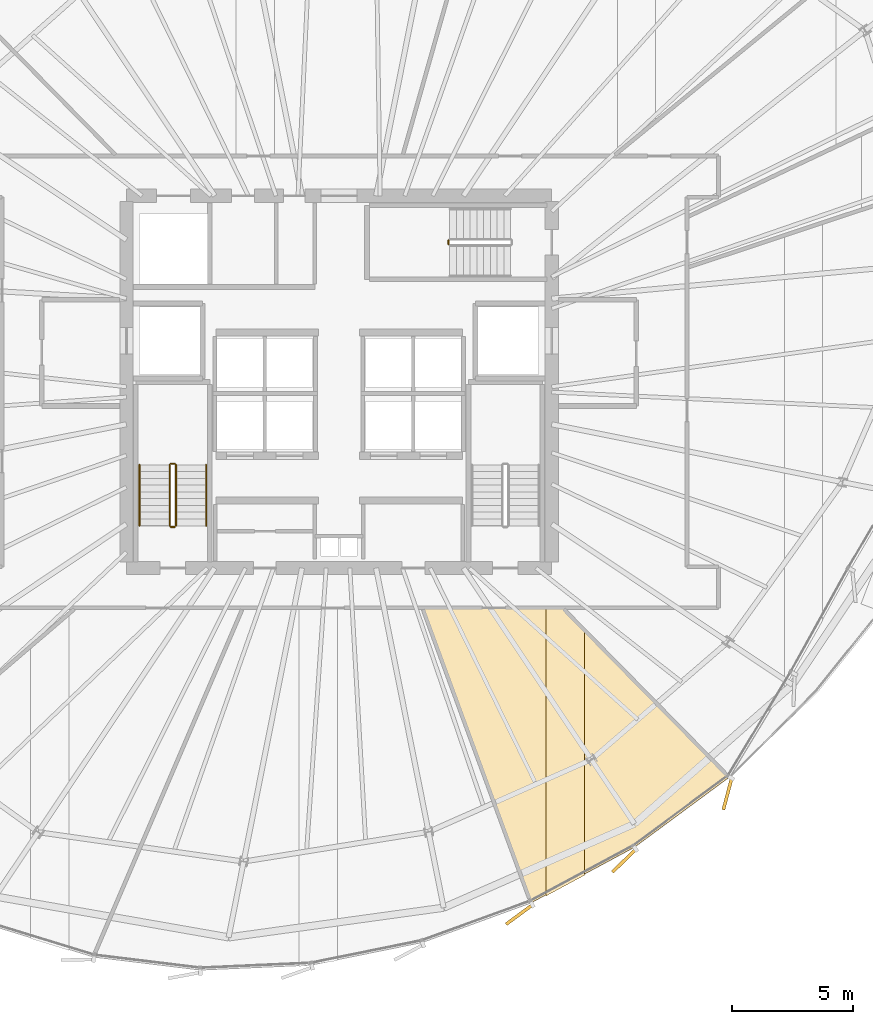
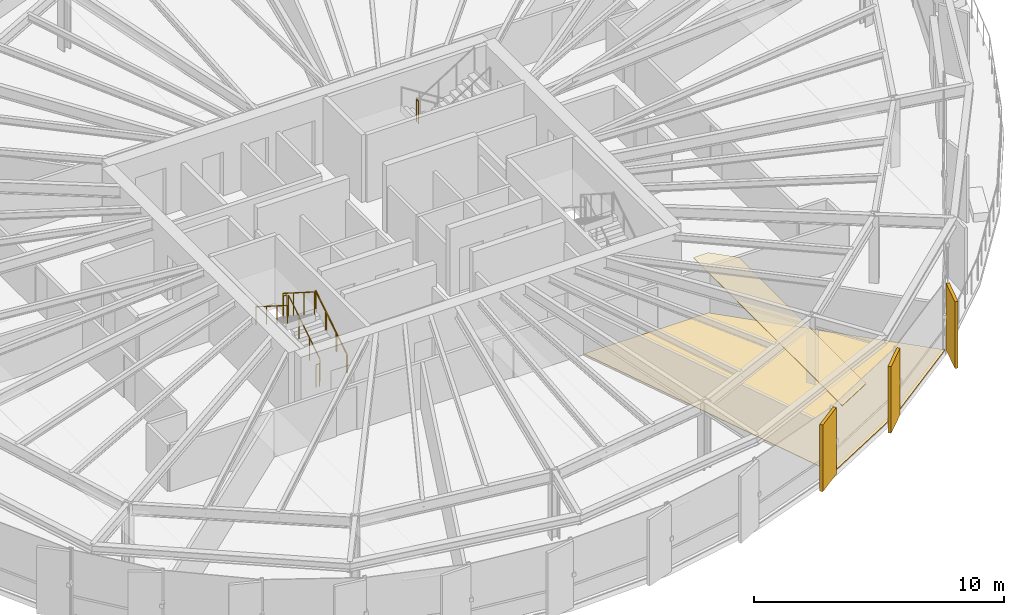
# One storey, part 34 of 36: 7 railings, 5 coverings.
"""IFC4 building model written with IfcOpenShell, lengths in metres."""

from ifc_helpers import new_model, si_unit, direction, frame, origin, origin_2d, place, context, subcontext, project, spatial, polyline, rectangle, circle, outline, extrude, source, transform, mapped, material, layer, layer_set, type_object, element, save


model = new_model("IFC4")

# Units and contexts
model_context = context("Model", 3, precision=1e-05, world=origin(), true_north=direction((0.0, 1.0)))
body_context = subcontext(model_context, "Body", "Model", "MODEL_VIEW")
ifc_project = project(units=[si_unit("LENGTHUNIT", "METRE"), si_unit("AREAUNIT", "SQUARE_METRE"), si_unit("VOLUMEUNIT", "CUBIC_METRE"), si_unit("PLANEANGLEUNIT", "RADIAN"), si_unit("MASSUNIT", "GRAM", prefix="KILO"), si_unit("THERMODYNAMICTEMPERATUREUNIT", "KELVIN")], contexts=[model_context])

# Site, building, storey
site_placement = place(None, origin())
site = spatial("IfcSite", under=ifc_project, at=site_placement, CompositionType="ELEMENT")
building_placement = place(site_placement, origin())
building = spatial("IfcBuilding", under=site, at=building_placement, Name="Kethvar Cultural Tower", CompositionType="ELEMENT")
storey_placement = place(building_placement, frame((0.0, 0.0, 164.300048828125)))
storey = spatial("IfcBuildingStorey", under=building, at=storey_placement, Name="L42", CompositionType="ELEMENT", Elevation=164.300048828125)

# Coverings
ifc_material_1 = material(Name="Acoustic Mineral Fibre Ceiling")
ifc_layer_1 = layer(ifc_material_1, 0.0400390625, Name="Acoustic Mineral Fibre Ceiling")
ifc_layer_set_1 = layer_set([ifc_layer_1], Name="Acoustic Mineral Fibre Ceiling (40 mm)")
covering_type_1 = type_object("IfcCoveringType", Name="CV-ACOUSTIC-CEIL", PredefinedType="CEILING", material=ifc_layer_set_1)
covering_1_placement = place(storey_placement, frame((0.0, 0.0, 2.889892578125)))
element("IfcCovering", 1, at=covering_1_placement, inside=storey, type_object=covering_type_1, Name="L42 Room 03 Acoustic Ceiling Panel", PredefinedType="CEILING", context=body_context, shape_type="SweptSolid", body=[
    extrude(outline(polyline([(55.364013671875, 6.52978515625), (55.364013671875, 18.469970703125), (56.050048828125, 18.469970703125), (56.9541015625, 17.5625), (56.9541015625, 7.385986328125), (55.364013671875, 6.52978515625)])), origin(), (0.0, 0.0, 1.0), 0.0400390625),
])
ifc_material_2 = material(Name="Architectural Oak Timber", Category="wood")
ifc_layer_2 = layer(ifc_material_2, 0.02490234375, Name="Architectural Oak Timber", Category="wood")
ifc_layer_set_2 = layer_set([ifc_layer_2], Name="Architectural Oak Timber (25 mm)")
covering_type_2 = type_object("IfcCoveringType", Name="CV-OAK-FLOOR", PredefinedType="FLOORING", material=ifc_layer_set_2)
covering_2_placement = place(storey_placement, origin())
element("IfcCovering", 2, at=covering_2_placement, inside=storey, type_object=covering_type_2, Name="L42 Room 03 Floor Finish", PredefinedType="FLOORING", context=body_context, shape_type="SweptSolid", body=[
    extrude(outline(polyline([(59.0205078125, 8.543701171875), (54.773681640625, 6.25732421875), (50.2802734375, 18.429931640625), (56.039794921875, 18.429931640625), (62.9482421875, 11.4453125), (59.0205078125, 8.543701171875)])), origin(), (0.0, 0.0, 1.0), 0.02490234375),
])

# Railings
ifc_material_3 = material(Name="Steel S355J2", Category="steel")
railing_type_1 = type_object("IfcRailingType", Name="RL-STAIR-GUARD", PredefinedType="BALUSTRADE", material=ifc_material_3)
railing_1_placement = place(storey_placement, frame((40.050048828125, 21.85009765625, 0.177490234375)))
element("IfcRailing", 3, at=railing_1_placement, inside=storey, type_object=railing_type_1, Name="L42 ST-01 stair guard 1", PredefinedType="BALUSTRADE", context=body_context, shape_type="SweptSolid", body=[
    extrude(circle(Radius=0.02392578125, at=origin_2d()), frame((0.0, 0.0, 1.09619140625), z_axis=(0.0, 0.84460694969, 0.535386869969), x_axis=(-1.0, 0.0, 0.0)), (0.0, 0.0, 1.0), 2.983642578125),
    extrude(circle(Radius=0.02099609375, at=origin_2d()), origin(), (0.0, 0.0, 1.0), 1.072021484375),
    extrude(circle(Radius=0.02099609375, at=origin_2d()), frame((0.0, 0.840087890625, 0.532470703125)), (0.0, 0.0, 1.0), 1.072021484375),
    extrude(circle(Radius=0.02099609375, at=origin_2d()), frame((0.0, 1.679931640625, 1.06494140625)), (0.0, 0.0, 1.0), 1.072021484375),
    extrude(circle(Radius=0.02099609375, at=origin_2d()), frame((0.0, 2.52001953125, 1.597412109375)), (0.0, 0.0, 1.0), 1.072021484375),
])
railing_2_placement = place(storey_placement, frame((40.0, 24.419921875, 1.77490234375)))
element("IfcRailing", 4, at=railing_2_placement, inside=storey, type_object=railing_type_1, Name="L42 ST-01 stair guard 2", PredefinedType="BALUSTRADE", context=body_context, shape_type="SweptSolid", body=[
    extrude(circle(Radius=0.02392578125, at=origin_2d()), frame((0.0, 0.0, 1.09619140625), z_axis=(-1.0, 0.0, 0.0), x_axis=(0.0, -1.0, 0.0)), (0.0, 0.0, 1.0), 0.159912109375),
    extrude(circle(Radius=0.02099609375, at=origin_2d()), origin(), (0.0, 0.0, 1.0), 1.072021484375),
    extrude(circle(Radius=0.02099609375, at=origin_2d()), frame((-0.159912109375, 0.0, 0.0)), (0.0, 0.0, 1.0), 1.072021484375),
])
railing_3_placement = place(storey_placement, frame((39.7900390625, 24.3701171875, 1.952392578125)))
element("IfcRailing", 5, at=railing_3_placement, inside=storey, type_object=railing_type_1, Name="L42 ST-01 stair guard 3", PredefinedType="BALUSTRADE", context=body_context, shape_type="SweptSolid", body=[
    extrude(circle(Radius=0.02392578125, at=origin_2d()), frame((0.0, 0.0, 1.09619140625), z_axis=(0.0, -0.84456994832, 0.535445237532), x_axis=(1.0, 0.0, 0.0)), (0.0, 0.0, 1.0), 2.98388671875),
    extrude(circle(Radius=0.02099609375, at=origin_2d()), origin(), (0.0, 0.0, 1.0), 1.072021484375),
    extrude(circle(Radius=0.02099609375, at=origin_2d()), frame((0.0, -0.840087890625, 0.532470703125)), (0.0, 0.0, 1.0), 1.072021484375),
    extrude(circle(Radius=0.02099609375, at=origin_2d()), frame((0.0, -1.679931640625, 1.065185546875)), (0.0, 0.0, 1.0), 1.072021484375),
    extrude(circle(Radius=0.02099609375, at=origin_2d()), frame((0.0, -2.52001953125, 1.59765625)), (0.0, 0.0, 1.0), 1.072021484375),
])
railing_4_placement = place(storey_placement, frame((40.0, 21.800048828125, 0.0)))
element("IfcRailing", 6, at=railing_4_placement, inside=storey, type_object=railing_type_1, Name="L42 ST-01 stair guard 4", PredefinedType="BALUSTRADE", context=body_context, shape_type="SweptSolid", body=[
    extrude(circle(Radius=0.02392578125, at=origin_2d()), frame((0.0, 0.0, 1.09619140625), z_axis=(-1.0, 0.0, 0.0), x_axis=(0.0, -1.0, 0.0)), (0.0, 0.0, 1.0), 0.159912109375),
    extrude(circle(Radius=0.02099609375, at=origin_2d()), origin(), (0.0, 0.0, 1.0), 1.072021484375),
    extrude(circle(Radius=0.02099609375, at=origin_2d()), frame((-0.159912109375, 0.0, 0.0)), (0.0, 0.0, 1.0), 1.072021484375),
])
railing_5_placement = place(storey_placement, frame((51.330078125, 33.659912109375, 1.77490234375)))
element("IfcRailing", 7, at=railing_5_placement, inside=storey, type_object=railing_type_1, Name="L42 ST-03 stair guard 2", PredefinedType="BALUSTRADE", context=body_context, shape_type="SweptSolid", body=[
    extrude(circle(Radius=0.02392578125, at=origin_2d()), frame((0.0, 0.0, 1.09619140625), z_axis=(0.0, -1.0, 0.0), x_axis=(1.0, 0.0, 0.0)), (0.0, 0.0, 1.0), 0.159912109375),
    extrude(circle(Radius=0.02099609375, at=origin_2d()), origin(), (0.0, 0.0, 1.0), 1.072021484375),
    extrude(circle(Radius=0.02099609375, at=origin_2d()), frame((0.0, -0.159912109375, 0.0)), (0.0, 0.0, 1.0), 1.072021484375),
])
railing_type_2 = type_object("IfcRailingType", Name="RL-STAIR-HANDRAIL", PredefinedType="HANDRAIL", material=ifc_material_3)
railing_6_placement = place(storey_placement, frame((41.300048828125, 21.85009765625, 0.177490234375)))
element("IfcRailing", 8, at=railing_6_placement, inside=storey, type_object=railing_type_2, Name="L42 ST-01 stair handrail 1", PredefinedType="HANDRAIL", context=body_context, shape_type="SweptSolid", body=[
    extrude(circle(Radius=0.02392578125, at=origin_2d()), frame((0.0, 0.0, 0.8759765625), z_axis=(0.0, 0.84460694969, 0.535386869969), x_axis=(-1.0, 0.0, 0.0)), (0.0, 0.0, 1.0), 2.983642578125),
    extrude(circle(Radius=0.02099609375, at=origin_2d()), origin(), (0.0, 0.0, 1.0), 0.851806640625),
    extrude(circle(Radius=0.02099609375, at=origin_2d()), frame((0.0, 0.840087890625, 0.532470703125)), (0.0, 0.0, 1.0), 0.851806640625),
    extrude(circle(Radius=0.02099609375, at=origin_2d()), frame((0.0, 1.679931640625, 1.06494140625)), (0.0, 0.0, 1.0), 0.851806640625),
    extrude(circle(Radius=0.02099609375, at=origin_2d()), frame((0.0, 2.52001953125, 1.597412109375)), (0.0, 0.0, 1.0), 0.851806640625),
])
railing_7_placement = place(storey_placement, frame((38.5400390625, 24.3701171875, 1.952392578125)))
element("IfcRailing", 9, at=railing_7_placement, inside=storey, type_object=railing_type_2, Name="L42 ST-01 stair handrail 2", PredefinedType="HANDRAIL", context=body_context, shape_type="SweptSolid", body=[
    extrude(circle(Radius=0.02392578125, at=origin_2d()), frame((0.0, 0.0, 0.8759765625), z_axis=(0.0, -0.84456994832, 0.535445237532), x_axis=(1.0, 0.0, 0.0)), (0.0, 0.0, 1.0), 2.98388671875),
    extrude(circle(Radius=0.02099609375, at=origin_2d()), origin(), (0.0, 0.0, 1.0), 0.851806640625),
    extrude(circle(Radius=0.02099609375, at=origin_2d()), frame((0.0, -0.840087890625, 0.532470703125)), (0.0, 0.0, 1.0), 0.851806640625),
    extrude(circle(Radius=0.02099609375, at=origin_2d()), frame((0.0, -1.679931640625, 1.065185546875)), (0.0, 0.0, 1.0), 0.851806640625),
    extrude(circle(Radius=0.02099609375, at=origin_2d()), frame((0.0, -2.52001953125, 1.59765625)), (0.0, 0.0, 1.0), 0.851806640625),
])

# Coverings
ifc_material_4 = material(Name="Extruded Architectural Terracotta", Category="masonry")
ifc_layer_3 = layer(ifc_material_4, 0.135009765625, Name="Extruded Architectural Terracotta", Category="masonry")
ifc_layer_set_3 = layer_set([ifc_layer_3], Name="Extruded Architectural Terracotta (135 mm)")
covering_type_3 = type_object("IfcCoveringType", Name="Terracotta Facade Fin FIN-02", PredefinedType="CLADDING", material=ifc_layer_set_3)
shared_shape = source(origin(), body_context, "Body", "SweptSolid", [
    extrude(rectangle(XDim=1.35009765625, YDim=0.135009765625, at=origin_2d()), origin(), (0.0, 0.0, 1.0), 3.260009765625),
])
for number, where, z_axis, x_axis, name in (
    (10, (54.2568359375, 5.7587890625, 0.02001953125), (0.0, 0.0, 1.0), (-0.805928282249, -0.592013178799, 0.0), "L42 Vertical Terracotta Fin 5.3"),
    (11, (58.5966796875, 7.989990234375, 0.02001953125), (0.0, 0.0, 1.0), (-0.713861836212, -0.700286569056, 0.0), "L42 Vertical Terracotta Fin 5.4"),
    (12, (62.875, 10.748779296875, 0.02001953125), (0.0, 0.0, 1.0), (-0.255108257352, -0.966912497091, 0.0), "L42 Vertical Terracotta Fin 5.5"),
):
    element("IfcCovering", number, at=place(storey_placement, frame(where, z_axis=z_axis, x_axis=x_axis)), inside=storey, type_object=covering_type_3, Name=name, PredefinedType="CLADDING", context=body_context, shape_type="MappedRepresentation", body=[
        mapped(shared_shape, transform((0.0, 0.0, 0.0), scale=1.0)),
    ])

save(model, "model.ifc")
